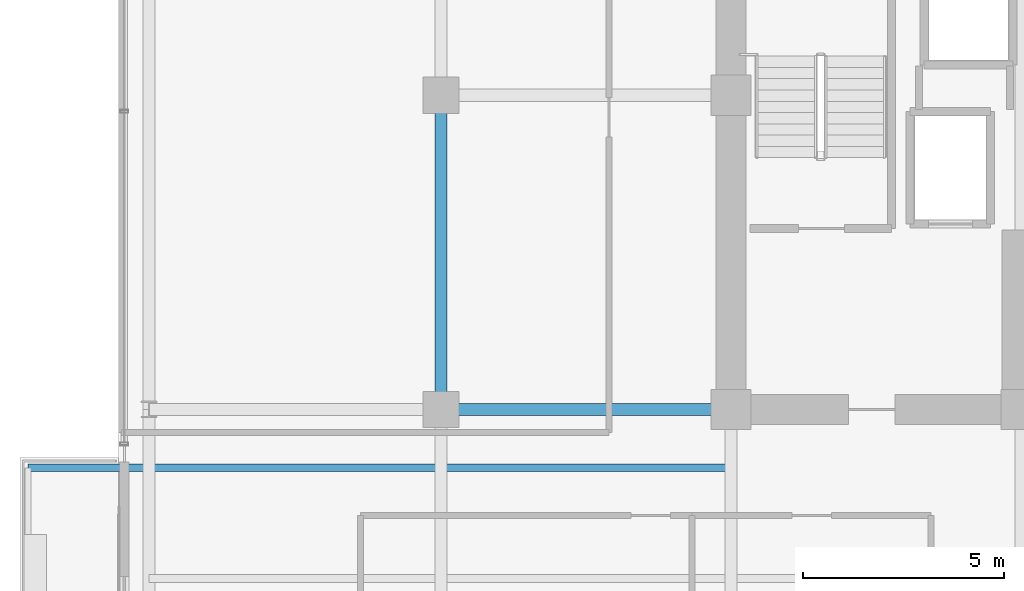
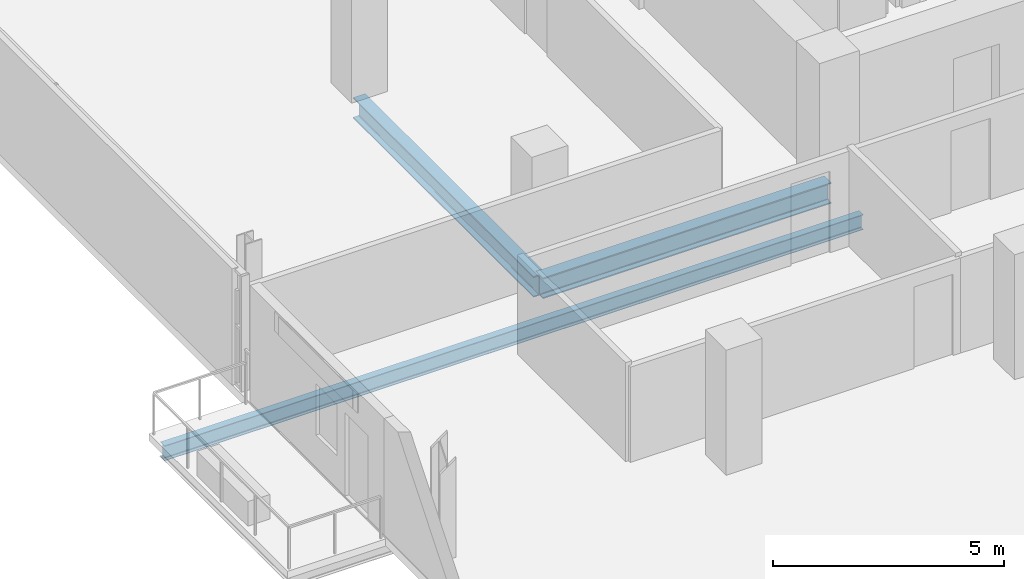
# One storey, part 7 of 27: 3 beams.
"""IFC4 building model written with IfcOpenShell, lengths in metres."""

from ifc_helpers import new_model, si_unit, direction, frame, origin, origin_2d, place, context, subcontext, project, spatial, i_section, extrude, material, material_profile, profile_set, type_object, element, save


model = new_model("IFC4")

# Units and contexts
model_context = context("Model", 3, precision=1e-05, world=origin(), true_north=direction((0.0, 1.0)))
body_context = subcontext(model_context, "Body", "Model", "MODEL_VIEW")
ifc_project = project(units=[si_unit("LENGTHUNIT", "METRE"), si_unit("AREAUNIT", "SQUARE_METRE"), si_unit("VOLUMEUNIT", "CUBIC_METRE"), si_unit("PLANEANGLEUNIT", "RADIAN"), si_unit("MASSUNIT", "GRAM", prefix="KILO")], contexts=[model_context])

# Site, building, storey
site_placement = place(None, origin())
site = spatial("IfcSite", under=ifc_project, at=site_placement, CompositionType="ELEMENT")
building_placement = place(site_placement, origin())
building = spatial("IfcBuilding", under=site, at=building_placement, Name="Zarnakvel Exchange Tower", CompositionType="ELEMENT")
storey_placement = place(building_placement, frame((0.0, 0.0, 96.699951171875)))
storey = spatial("IfcBuildingStorey", under=building, at=storey_placement, Name="L26", CompositionType="ELEMENT", Elevation=96.699951171875)

# Beams
ifc_material = material(Name="Steel S355", Category="steel")
ifc_material_profile_1 = material_profile(ifc_material, i_section(OverallWidth=0.179931640625, OverallDepth=0.39990234375, WebThickness=0.008544921875, FlangeThickness=0.013427734375, FilletRadius=0.02099609375, at=origin_2d()))
ifc_profile_set_1 = profile_set([ifc_material_profile_1], Name="Steel S355")
beam_type_1 = type_object("IfcBeamType", Name="B-06", PredefinedType="JOIST", material=ifc_profile_set_1)
beam_1_placement = place(storey_placement, frame((-14.39990234375, -2.64990234375, -0.425048828125), z_axis=(-1.0, 0.0, 0.0), x_axis=(0.0, -1.0, 0.0)))
element("IfcBeam", 1, at=beam_1_placement, inside=storey, type_object=beam_type_1, Name="L26 Continuous West Loggia Beam N", PredefinedType="JOIST", context=body_context, shape_type="SweptSolid", body=[
    extrude(i_section(OverallWidth=0.179931640625, OverallDepth=0.39990234375, WebThickness=0.008544921875, FlangeThickness=0.013427734375, FilletRadius=0.02099609375, at=origin_2d()), origin(), (0.0, 0.0, 1.0), 17.4501953125),
])
ifc_material_profile_2 = material_profile(ifc_material, i_section(OverallWidth=0.300048828125, OverallDepth=0.550048828125, WebThickness=0.014892578125, FlangeThickness=0.029052734375, FilletRadius=0.027099609375, at=origin_2d()))
ifc_profile_set_2 = profile_set([ifc_material_profile_2], Name="Steel S355")
beam_type_2 = type_object("IfcBeamType", Name="G-05", PredefinedType="BEAM", material=ifc_profile_set_2)
beam_2_placement = place(storey_placement, frame((-21.60009765625, -1.199951171875, -0.5), z_axis=(1.0, 0.0, 0.0), x_axis=(0.0, 1.0, 0.0)))
element("IfcBeam", 2, at=beam_2_placement, inside=storey, type_object=beam_type_2, Name="L26 Tower E-W Frame Beam", PredefinedType="BEAM", context=body_context, shape_type="SweptSolid", body=[
    extrude(i_section(OverallWidth=0.300048828125, OverallDepth=0.550048828125, WebThickness=0.014892578125, FlangeThickness=0.029052734375, FilletRadius=0.027099609375, at=origin_2d()), origin(), (0.0, 0.0, 1.0), 7.2001953125),
])
beam_3_placement = place(storey_placement, frame((-21.60009765625, -1.199951171875, -0.5), z_axis=(0.0, 1.0, 0.0), x_axis=(-1.0, 0.0, 0.0)))
element("IfcBeam", 3, at=beam_3_placement, inside=storey, type_object=beam_type_2, Name="L26 Tower N-S Frame Beam", PredefinedType="BEAM", context=body_context, shape_type="SweptSolid", body=[
    extrude(i_section(OverallWidth=0.300048828125, OverallDepth=0.550048828125, WebThickness=0.014892578125, FlangeThickness=0.029052734375, FilletRadius=0.027099609375, at=origin_2d()), origin(), (0.0, 0.0, 1.0), 7.800048828125),
])

save(model, "model.ifc")
